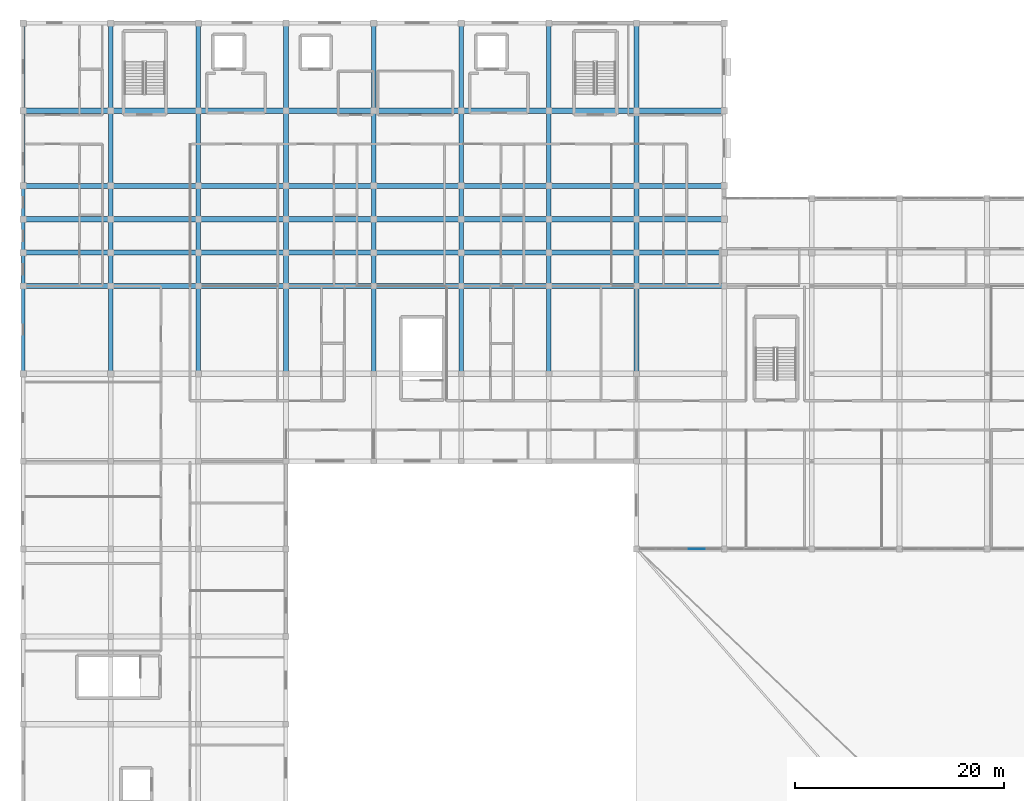
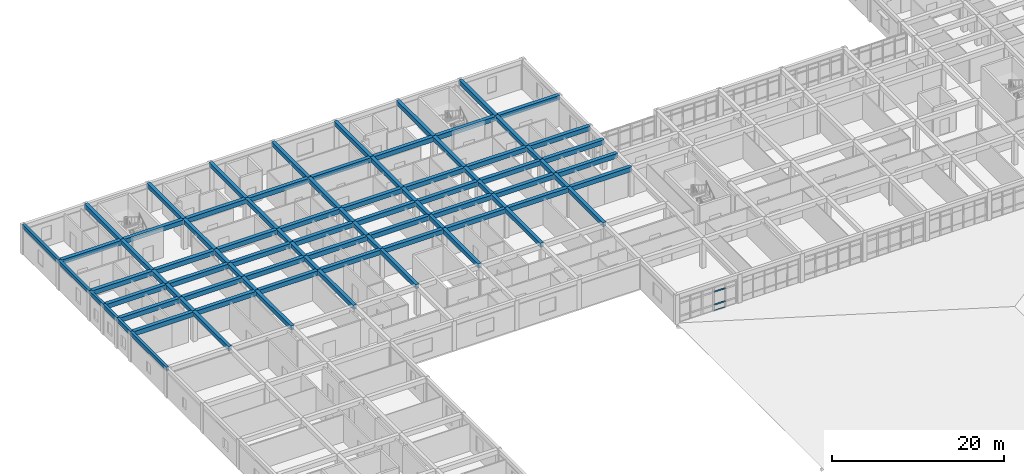
# One storey, part 14 of 77: 88 beams, 3 members, 1 element without a shape of its own.
"""IFC4 building model written with IfcOpenShell, lengths in metres."""

from ifc_helpers import new_model, si_unit, direction, frame, origin, origin_2d, place, context, subcontext, project, spatial, rectangle, extrude, material, material_profile, profile_set, type_object, element, aggregate, save


model = new_model("IFC4")

# Units and contexts
model_context = context("Model", 3, precision=1e-05, world=origin(), true_north=direction((0.0, 1.0)))
body_context = subcontext(model_context, "Body", "Model", "MODEL_VIEW")
ifc_project = project(units=[si_unit("LENGTHUNIT", "METRE"), si_unit("AREAUNIT", "SQUARE_METRE"), si_unit("VOLUMEUNIT", "CUBIC_METRE"), si_unit("PLANEANGLEUNIT", "RADIAN"), si_unit("MASSUNIT", "GRAM", prefix="KILO")], contexts=[model_context])

# Site, building, storey
site_placement = place(None, origin())
site = spatial("IfcSite", under=ifc_project, at=site_placement, CompositionType="ELEMENT")
building_placement = place(site_placement, origin())
building = spatial("IfcBuilding", under=site, at=building_placement, Name="Varncliffe General Hospital", CompositionType="ELEMENT")
storey_placement = place(building_placement, frame((0.0, 0.0, 16.199951171875)))
storey = spatial("IfcBuildingStorey", under=building, at=storey_placement, Name="L03", CompositionType="ELEMENT", Elevation=16.199951171875)

# Beams
ifc_material_1 = material(Name="Concrete C35/45 (CSA A23.1 35 MPa)", Category="concrete")
ifc_material_profile_1 = material_profile(ifc_material_1, rectangle(XDim=0.5, YDim=0.64990234375, at=origin_2d()), Name="RC 500x650")
ifc_profile_set_1 = profile_set([ifc_material_profile_1], Name="Concrete C35/45 (CSA A23.1 35 MPa)")
beam_type_1 = type_object("IfcBeamType", Name="Beam B29 (Int RC 500x650)", PredefinedType="BEAM", material=ifc_profile_set_1)
beam_1_placement = place(storey_placement, frame((0.0, 99.60009765625, 3.875), z_axis=(1.0, 0.0, 0.0), x_axis=(0.0, 1.0, 0.0)))
element("IfcBeam", 1, at=beam_1_placement, inside=storey, type_object=beam_type_1, Name="L03 Primary Beam B29-104", PredefinedType="BEAM", context=body_context, shape_type="SweptSolid", body=[
    extrude(rectangle(XDim=0.5, YDim=0.64990234375, at=origin_2d()), origin(), (0.0, 0.0, 1.0), 8.39990234375),
])
beam_2_placement = place(storey_placement, frame((8.39990234375, 99.60009765625, 3.875), z_axis=(1.0, 0.0, 0.0), x_axis=(0.0, 1.0, 0.0)))
element("IfcBeam", 2, at=beam_2_placement, inside=storey, type_object=beam_type_1, Name="L03 Primary Beam B29-105", PredefinedType="BEAM", context=body_context, shape_type="SweptSolid", body=[
    extrude(rectangle(XDim=0.5, YDim=0.64990234375, at=origin_2d()), origin(), (0.0, 0.0, 1.0), 8.400146484375),
])
beam_3_placement = place(storey_placement, frame((16.800048828125, 99.60009765625, 3.875), z_axis=(1.0, 0.0, 0.0), x_axis=(0.0, 1.0, 0.0)))
element("IfcBeam", 3, at=beam_3_placement, inside=storey, type_object=beam_type_1, Name="L03 Primary Beam B29-106", PredefinedType="BEAM", context=body_context, shape_type="SweptSolid", body=[
    extrude(rectangle(XDim=0.5, YDim=0.64990234375, at=origin_2d()), origin(), (0.0, 0.0, 1.0), 8.39990234375),
])
beam_4_placement = place(storey_placement, frame((25.199951171875, 99.60009765625, 3.875), z_axis=(1.0, 0.0, 0.0), x_axis=(0.0, 1.0, 0.0)))
element("IfcBeam", 4, at=beam_4_placement, inside=storey, type_object=beam_type_1, Name="L03 Primary Beam B29-107", PredefinedType="BEAM", context=body_context, shape_type="SweptSolid", body=[
    extrude(rectangle(XDim=0.5, YDim=0.64990234375, at=origin_2d()), origin(), (0.0, 0.0, 1.0), 8.400146484375),
])
for number, where, z_axis, x_axis, name in (
    (5, (33.60009765625, 99.60009765625, 3.875), (1.0, 0.0, 0.0), (0.0, 1.0, 0.0), "L03 Primary Beam B29-108"),
    (6, (42.0, 99.60009765625, 3.875), (1.0, 0.0, 0.0), (0.0, 1.0, 0.0), "L03 Primary Beam B29-109"),
):
    element("IfcBeam", number, at=place(storey_placement, frame(where, z_axis=z_axis, x_axis=x_axis)), inside=storey, type_object=beam_type_1, Name=name, PredefinedType="BEAM", context=body_context, shape_type="SweptSolid", body=[
        extrude(rectangle(XDim=0.5, YDim=0.64990234375, at=origin_2d()), origin(), (0.0, 0.0, 1.0), 8.39990234375),
    ])
beam_5_placement = place(storey_placement, frame((50.39990234375, 99.60009765625, 3.875), z_axis=(1.0, 0.0, 0.0), x_axis=(0.0, 1.0, 0.0)))
element("IfcBeam", 7, at=beam_5_placement, inside=storey, type_object=beam_type_1, Name="L03 Primary Beam B29-110", PredefinedType="BEAM", context=body_context, shape_type="SweptSolid", body=[
    extrude(rectangle(XDim=0.5, YDim=0.64990234375, at=origin_2d()), origin(), (0.0, 0.0, 1.0), 8.400146484375),
])
for number, where, z_axis, x_axis, name in (
    (8, (58.800048828125, 99.60009765625, 3.875), (1.0, 0.0, 0.0), (0.0, 1.0, 0.0), "L03 Primary Beam B29-111"),
    (9, (0.0, 102.800048828125, 3.875), (1.0, 0.0, 0.0), (0.0, 1.0, 0.0), "L03 Primary Beam B29-125"),
):
    element("IfcBeam", number, at=place(storey_placement, frame(where, z_axis=z_axis, x_axis=x_axis)), inside=storey, type_object=beam_type_1, Name=name, PredefinedType="BEAM", context=body_context, shape_type="SweptSolid", body=[
        extrude(rectangle(XDim=0.5, YDim=0.64990234375, at=origin_2d()), origin(), (0.0, 0.0, 1.0), 8.39990234375),
    ])
beam_6_placement = place(storey_placement, frame((8.39990234375, 102.800048828125, 3.875), z_axis=(1.0, 0.0, 0.0), x_axis=(0.0, 1.0, 0.0)))
element("IfcBeam", 10, at=beam_6_placement, inside=storey, type_object=beam_type_1, Name="L03 Primary Beam B29-126", PredefinedType="BEAM", context=body_context, shape_type="SweptSolid", body=[
    extrude(rectangle(XDim=0.5, YDim=0.64990234375, at=origin_2d()), origin(), (0.0, 0.0, 1.0), 8.400146484375),
])
beam_7_placement = place(storey_placement, frame((16.800048828125, 102.800048828125, 3.875), z_axis=(1.0, 0.0, 0.0), x_axis=(0.0, 1.0, 0.0)))
element("IfcBeam", 11, at=beam_7_placement, inside=storey, type_object=beam_type_1, Name="L03 Primary Beam B29-127", PredefinedType="BEAM", context=body_context, shape_type="SweptSolid", body=[
    extrude(rectangle(XDim=0.5, YDim=0.64990234375, at=origin_2d()), origin(), (0.0, 0.0, 1.0), 8.39990234375),
])
beam_8_placement = place(storey_placement, frame((25.199951171875, 102.800048828125, 3.875), z_axis=(1.0, 0.0, 0.0), x_axis=(0.0, 1.0, 0.0)))
element("IfcBeam", 12, at=beam_8_placement, inside=storey, type_object=beam_type_1, Name="L03 Primary Beam B29-128", PredefinedType="BEAM", context=body_context, shape_type="SweptSolid", body=[
    extrude(rectangle(XDim=0.5, YDim=0.64990234375, at=origin_2d()), origin(), (0.0, 0.0, 1.0), 8.400146484375),
])
for number, where, z_axis, x_axis, name in (
    (13, (33.60009765625, 102.800048828125, 3.875), (1.0, 0.0, 0.0), (0.0, 1.0, 0.0), "L03 Primary Beam B29-129"),
    (14, (42.0, 102.800048828125, 3.875), (1.0, 0.0, 0.0), (0.0, 1.0, 0.0), "L03 Primary Beam B29-130"),
):
    element("IfcBeam", number, at=place(storey_placement, frame(where, z_axis=z_axis, x_axis=x_axis)), inside=storey, type_object=beam_type_1, Name=name, PredefinedType="BEAM", context=body_context, shape_type="SweptSolid", body=[
        extrude(rectangle(XDim=0.5, YDim=0.64990234375, at=origin_2d()), origin(), (0.0, 0.0, 1.0), 8.39990234375),
    ])
beam_9_placement = place(storey_placement, frame((50.39990234375, 102.800048828125, 3.875), z_axis=(1.0, 0.0, 0.0), x_axis=(0.0, 1.0, 0.0)))
element("IfcBeam", 15, at=beam_9_placement, inside=storey, type_object=beam_type_1, Name="L03 Primary Beam B29-131", PredefinedType="BEAM", context=body_context, shape_type="SweptSolid", body=[
    extrude(rectangle(XDim=0.5, YDim=0.64990234375, at=origin_2d()), origin(), (0.0, 0.0, 1.0), 8.400146484375),
])
for number, where, z_axis, x_axis, name in (
    (16, (58.800048828125, 102.800048828125, 3.875), (1.0, 0.0, 0.0), (0.0, 1.0, 0.0), "L03 Primary Beam B29-132"),
    (17, (0.0, 106.0, 3.875), (1.0, 0.0, 0.0), (0.0, 1.0, 0.0), "L03 Primary Beam B29-146"),
):
    element("IfcBeam", number, at=place(storey_placement, frame(where, z_axis=z_axis, x_axis=x_axis)), inside=storey, type_object=beam_type_1, Name=name, PredefinedType="BEAM", context=body_context, shape_type="SweptSolid", body=[
        extrude(rectangle(XDim=0.5, YDim=0.64990234375, at=origin_2d()), origin(), (0.0, 0.0, 1.0), 8.39990234375),
    ])
beam_10_placement = place(storey_placement, frame((8.39990234375, 106.0, 3.875), z_axis=(1.0, 0.0, 0.0), x_axis=(0.0, 1.0, 0.0)))
element("IfcBeam", 18, at=beam_10_placement, inside=storey, type_object=beam_type_1, Name="L03 Primary Beam B29-147", PredefinedType="BEAM", context=body_context, shape_type="SweptSolid", body=[
    extrude(rectangle(XDim=0.5, YDim=0.64990234375, at=origin_2d()), origin(), (0.0, 0.0, 1.0), 8.400146484375),
])
beam_11_placement = place(storey_placement, frame((16.800048828125, 106.0, 3.875), z_axis=(1.0, 0.0, 0.0), x_axis=(0.0, 1.0, 0.0)))
element("IfcBeam", 19, at=beam_11_placement, inside=storey, type_object=beam_type_1, Name="L03 Primary Beam B29-148", PredefinedType="BEAM", context=body_context, shape_type="SweptSolid", body=[
    extrude(rectangle(XDim=0.5, YDim=0.64990234375, at=origin_2d()), origin(), (0.0, 0.0, 1.0), 8.39990234375),
])
beam_12_placement = place(storey_placement, frame((25.199951171875, 106.0, 3.875), z_axis=(1.0, 0.0, 0.0), x_axis=(0.0, 1.0, 0.0)))
element("IfcBeam", 20, at=beam_12_placement, inside=storey, type_object=beam_type_1, Name="L03 Primary Beam B29-149", PredefinedType="BEAM", context=body_context, shape_type="SweptSolid", body=[
    extrude(rectangle(XDim=0.5, YDim=0.64990234375, at=origin_2d()), origin(), (0.0, 0.0, 1.0), 8.400146484375),
])
for number, where, z_axis, x_axis, name in (
    (21, (33.60009765625, 106.0, 3.875), (1.0, 0.0, 0.0), (0.0, 1.0, 0.0), "L03 Primary Beam B29-150"),
    (22, (42.0, 106.0, 3.875), (1.0, 0.0, 0.0), (0.0, 1.0, 0.0), "L03 Primary Beam B29-151"),
):
    element("IfcBeam", number, at=place(storey_placement, frame(where, z_axis=z_axis, x_axis=x_axis)), inside=storey, type_object=beam_type_1, Name=name, PredefinedType="BEAM", context=body_context, shape_type="SweptSolid", body=[
        extrude(rectangle(XDim=0.5, YDim=0.64990234375, at=origin_2d()), origin(), (0.0, 0.0, 1.0), 8.39990234375),
    ])
beam_13_placement = place(storey_placement, frame((50.39990234375, 106.0, 3.875), z_axis=(1.0, 0.0, 0.0), x_axis=(0.0, 1.0, 0.0)))
element("IfcBeam", 23, at=beam_13_placement, inside=storey, type_object=beam_type_1, Name="L03 Primary Beam B29-152", PredefinedType="BEAM", context=body_context, shape_type="SweptSolid", body=[
    extrude(rectangle(XDim=0.5, YDim=0.64990234375, at=origin_2d()), origin(), (0.0, 0.0, 1.0), 8.400146484375),
])
for number, where, z_axis, x_axis, name in (
    (24, (58.800048828125, 106.0, 3.875), (1.0, 0.0, 0.0), (0.0, 1.0, 0.0), "L03 Primary Beam B29-153"),
    (25, (0.0, 109.199951171875, 3.875), (1.0, 0.0, 0.0), (0.0, 1.0, 0.0), "L03 Primary Beam B29-165"),
):
    element("IfcBeam", number, at=place(storey_placement, frame(where, z_axis=z_axis, x_axis=x_axis)), inside=storey, type_object=beam_type_1, Name=name, PredefinedType="BEAM", context=body_context, shape_type="SweptSolid", body=[
        extrude(rectangle(XDim=0.5, YDim=0.64990234375, at=origin_2d()), origin(), (0.0, 0.0, 1.0), 8.39990234375),
    ])
beam_14_placement = place(storey_placement, frame((8.39990234375, 109.199951171875, 3.875), z_axis=(1.0, 0.0, 0.0), x_axis=(0.0, 1.0, 0.0)))
element("IfcBeam", 26, at=beam_14_placement, inside=storey, type_object=beam_type_1, Name="L03 Primary Beam B29-166", PredefinedType="BEAM", context=body_context, shape_type="SweptSolid", body=[
    extrude(rectangle(XDim=0.5, YDim=0.64990234375, at=origin_2d()), origin(), (0.0, 0.0, 1.0), 8.400146484375),
])
beam_15_placement = place(storey_placement, frame((16.800048828125, 109.199951171875, 3.875), z_axis=(1.0, 0.0, 0.0), x_axis=(0.0, 1.0, 0.0)))
element("IfcBeam", 27, at=beam_15_placement, inside=storey, type_object=beam_type_1, Name="L03 Primary Beam B29-167", PredefinedType="BEAM", context=body_context, shape_type="SweptSolid", body=[
    extrude(rectangle(XDim=0.5, YDim=0.64990234375, at=origin_2d()), origin(), (0.0, 0.0, 1.0), 8.39990234375),
])
beam_16_placement = place(storey_placement, frame((25.199951171875, 109.199951171875, 3.875), z_axis=(1.0, 0.0, 0.0), x_axis=(0.0, 1.0, 0.0)))
element("IfcBeam", 28, at=beam_16_placement, inside=storey, type_object=beam_type_1, Name="L03 Primary Beam B29-168", PredefinedType="BEAM", context=body_context, shape_type="SweptSolid", body=[
    extrude(rectangle(XDim=0.5, YDim=0.64990234375, at=origin_2d()), origin(), (0.0, 0.0, 1.0), 8.400146484375),
])
for number, where, z_axis, x_axis, name in (
    (29, (33.60009765625, 109.199951171875, 3.875), (1.0, 0.0, 0.0), (0.0, 1.0, 0.0), "L03 Primary Beam B29-169"),
    (30, (42.0, 109.199951171875, 3.875), (1.0, 0.0, 0.0), (0.0, 1.0, 0.0), "L03 Primary Beam B29-170"),
):
    element("IfcBeam", number, at=place(storey_placement, frame(where, z_axis=z_axis, x_axis=x_axis)), inside=storey, type_object=beam_type_1, Name=name, PredefinedType="BEAM", context=body_context, shape_type="SweptSolid", body=[
        extrude(rectangle(XDim=0.5, YDim=0.64990234375, at=origin_2d()), origin(), (0.0, 0.0, 1.0), 8.39990234375),
    ])
beam_17_placement = place(storey_placement, frame((50.39990234375, 109.199951171875, 3.875), z_axis=(1.0, 0.0, 0.0), x_axis=(0.0, 1.0, 0.0)))
element("IfcBeam", 31, at=beam_17_placement, inside=storey, type_object=beam_type_1, Name="L03 Primary Beam B29-171", PredefinedType="BEAM", context=body_context, shape_type="SweptSolid", body=[
    extrude(rectangle(XDim=0.5, YDim=0.64990234375, at=origin_2d()), origin(), (0.0, 0.0, 1.0), 8.400146484375),
])
for number, where, z_axis, x_axis, name in (
    (32, (58.800048828125, 109.199951171875, 3.875), (1.0, 0.0, 0.0), (0.0, 1.0, 0.0), "L03 Primary Beam B29-172"),
    (33, (0.0, 116.39990234375, 3.875), (1.0, 0.0, 0.0), (0.0, 1.0, 0.0), "L03 Primary Beam B29-181"),
):
    element("IfcBeam", number, at=place(storey_placement, frame(where, z_axis=z_axis, x_axis=x_axis)), inside=storey, type_object=beam_type_1, Name=name, PredefinedType="BEAM", context=body_context, shape_type="SweptSolid", body=[
        extrude(rectangle(XDim=0.5, YDim=0.64990234375, at=origin_2d()), origin(), (0.0, 0.0, 1.0), 8.39990234375),
    ])
beam_18_placement = place(storey_placement, frame((8.39990234375, 116.39990234375, 3.875), z_axis=(1.0, 0.0, 0.0), x_axis=(0.0, 1.0, 0.0)))
element("IfcBeam", 34, at=beam_18_placement, inside=storey, type_object=beam_type_1, Name="L03 Primary Beam B29-182", PredefinedType="BEAM", context=body_context, shape_type="SweptSolid", body=[
    extrude(rectangle(XDim=0.5, YDim=0.64990234375, at=origin_2d()), origin(), (0.0, 0.0, 1.0), 8.400146484375),
])
beam_19_placement = place(storey_placement, frame((16.800048828125, 116.39990234375, 3.875), z_axis=(1.0, 0.0, 0.0), x_axis=(0.0, 1.0, 0.0)))
element("IfcBeam", 35, at=beam_19_placement, inside=storey, type_object=beam_type_1, Name="L03 Primary Beam B29-183", PredefinedType="BEAM", context=body_context, shape_type="SweptSolid", body=[
    extrude(rectangle(XDim=0.5, YDim=0.64990234375, at=origin_2d()), origin(), (0.0, 0.0, 1.0), 8.39990234375),
])
beam_20_placement = place(storey_placement, frame((25.199951171875, 116.39990234375, 3.875), z_axis=(1.0, 0.0, 0.0), x_axis=(0.0, 1.0, 0.0)))
element("IfcBeam", 36, at=beam_20_placement, inside=storey, type_object=beam_type_1, Name="L03 Primary Beam B29-184", PredefinedType="BEAM", context=body_context, shape_type="SweptSolid", body=[
    extrude(rectangle(XDim=0.5, YDim=0.64990234375, at=origin_2d()), origin(), (0.0, 0.0, 1.0), 8.400146484375),
])
for number, where, z_axis, x_axis, name in (
    (37, (33.60009765625, 116.39990234375, 3.875), (1.0, 0.0, 0.0), (0.0, 1.0, 0.0), "L03 Primary Beam B29-185"),
    (38, (42.0, 116.39990234375, 3.875), (1.0, 0.0, 0.0), (0.0, 1.0, 0.0), "L03 Primary Beam B29-186"),
):
    element("IfcBeam", number, at=place(storey_placement, frame(where, z_axis=z_axis, x_axis=x_axis)), inside=storey, type_object=beam_type_1, Name=name, PredefinedType="BEAM", context=body_context, shape_type="SweptSolid", body=[
        extrude(rectangle(XDim=0.5, YDim=0.64990234375, at=origin_2d()), origin(), (0.0, 0.0, 1.0), 8.39990234375),
    ])
beam_21_placement = place(storey_placement, frame((50.39990234375, 116.39990234375, 3.875), z_axis=(1.0, 0.0, 0.0), x_axis=(0.0, 1.0, 0.0)))
element("IfcBeam", 39, at=beam_21_placement, inside=storey, type_object=beam_type_1, Name="L03 Primary Beam B29-187", PredefinedType="BEAM", context=body_context, shape_type="SweptSolid", body=[
    extrude(rectangle(XDim=0.5, YDim=0.64990234375, at=origin_2d()), origin(), (0.0, 0.0, 1.0), 8.400146484375),
])
beam_22_placement = place(storey_placement, frame((58.800048828125, 116.39990234375, 3.875), z_axis=(1.0, 0.0, 0.0), x_axis=(0.0, 1.0, 0.0)))
element("IfcBeam", 40, at=beam_22_placement, inside=storey, type_object=beam_type_1, Name="L03 Primary Beam B29-188", PredefinedType="BEAM", context=body_context, shape_type="SweptSolid", body=[
    extrude(rectangle(XDim=0.5, YDim=0.64990234375, at=origin_2d()), origin(), (0.0, 0.0, 1.0), 8.39990234375),
])
ifc_material_profile_2 = material_profile(ifc_material_1, rectangle(XDim=0.449951171875, YDim=0.60009765625, at=origin_2d()), Name="RC 450x600")
ifc_profile_set_2 = profile_set([ifc_material_profile_2], Name="Concrete C35/45 (CSA A23.1 35 MPa)")
beam_type_2 = type_object("IfcBeamType", Name="Beam B47 (Int RC 450x600)", PredefinedType="BEAM", material=ifc_profile_set_2)
beam_23_placement = place(storey_placement, frame((8.39990234375, 91.199951171875, 3.900146484375), z_axis=(0.0, 1.0, 0.0), x_axis=(-1.0, 0.0, 0.0)))
element("IfcBeam", 41, at=beam_23_placement, inside=storey, type_object=beam_type_2, Name="L03 Primary Beam B47-231", PredefinedType="BEAM", context=body_context, shape_type="SweptSolid", body=[
    extrude(rectangle(XDim=0.449951171875, YDim=0.60009765625, at=origin_2d()), origin(), (0.0, 0.0, 1.0), 8.400146484375),
])
for number, where, z_axis, x_axis, name in (
    (42, (8.39990234375, 99.60009765625, 3.900146484375), (0.0, 1.0, 0.0), (-1.0, 0.0, 0.0), "L03 Primary Beam B47-232"),
    (43, (8.39990234375, 102.800048828125, 3.900146484375), (0.0, 1.0, 0.0), (-1.0, 0.0, 0.0), "L03 Primary Beam B47-233"),
    (44, (8.39990234375, 106.0, 3.900146484375), (0.0, 1.0, 0.0), (-1.0, 0.0, 0.0), "L03 Primary Beam B47-234"),
):
    element("IfcBeam", number, at=place(storey_placement, frame(where, z_axis=z_axis, x_axis=x_axis)), inside=storey, type_object=beam_type_2, Name=name, PredefinedType="BEAM", context=body_context, shape_type="SweptSolid", body=[
        extrude(rectangle(XDim=0.449951171875, YDim=0.60009765625, at=origin_2d()), origin(), (0.0, 0.0, 1.0), 3.199951171875),
    ])
beam_24_placement = place(storey_placement, frame((8.39990234375, 109.199951171875, 3.900146484375), z_axis=(0.0, 1.0, 0.0), x_axis=(-1.0, 0.0, 0.0)))
element("IfcBeam", 45, at=beam_24_placement, inside=storey, type_object=beam_type_2, Name="L03 Primary Beam B47-235", PredefinedType="BEAM", context=body_context, shape_type="SweptSolid", body=[
    extrude(rectangle(XDim=0.449951171875, YDim=0.60009765625, at=origin_2d()), origin(), (0.0, 0.0, 1.0), 7.199951171875),
])
for number, where, z_axis, x_axis, name in (
    (46, (8.39990234375, 116.39990234375, 3.900146484375), (0.0, 1.0, 0.0), (-1.0, 0.0, 0.0), "L03 Primary Beam B47-236"),
    (47, (16.800048828125, 91.199951171875, 3.900146484375), (0.0, 1.0, 0.0), (-1.0, 0.0, 0.0), "L03 Primary Beam B47-243"),
):
    element("IfcBeam", number, at=place(storey_placement, frame(where, z_axis=z_axis, x_axis=x_axis)), inside=storey, type_object=beam_type_2, Name=name, PredefinedType="BEAM", context=body_context, shape_type="SweptSolid", body=[
        extrude(rectangle(XDim=0.449951171875, YDim=0.60009765625, at=origin_2d()), origin(), (0.0, 0.0, 1.0), 8.400146484375),
    ])
for number, where, z_axis, x_axis, name in (
    (48, (16.800048828125, 99.60009765625, 3.900146484375), (0.0, 1.0, 0.0), (-1.0, 0.0, 0.0), "L03 Primary Beam B47-244"),
    (49, (16.800048828125, 102.800048828125, 3.900146484375), (0.0, 1.0, 0.0), (-1.0, 0.0, 0.0), "L03 Primary Beam B47-245"),
    (50, (16.800048828125, 106.0, 3.900146484375), (0.0, 1.0, 0.0), (-1.0, 0.0, 0.0), "L03 Primary Beam B47-246"),
):
    element("IfcBeam", number, at=place(storey_placement, frame(where, z_axis=z_axis, x_axis=x_axis)), inside=storey, type_object=beam_type_2, Name=name, PredefinedType="BEAM", context=body_context, shape_type="SweptSolid", body=[
        extrude(rectangle(XDim=0.449951171875, YDim=0.60009765625, at=origin_2d()), origin(), (0.0, 0.0, 1.0), 3.199951171875),
    ])
beam_25_placement = place(storey_placement, frame((16.800048828125, 109.199951171875, 3.900146484375), z_axis=(0.0, 1.0, 0.0), x_axis=(-1.0, 0.0, 0.0)))
element("IfcBeam", 51, at=beam_25_placement, inside=storey, type_object=beam_type_2, Name="L03 Primary Beam B47-247", PredefinedType="BEAM", context=body_context, shape_type="SweptSolid", body=[
    extrude(rectangle(XDim=0.449951171875, YDim=0.60009765625, at=origin_2d()), origin(), (0.0, 0.0, 1.0), 7.199951171875),
])
for number, where, z_axis, x_axis, name in (
    (52, (16.800048828125, 116.39990234375, 3.900146484375), (0.0, 1.0, 0.0), (-1.0, 0.0, 0.0), "L03 Primary Beam B47-248"),
    (53, (25.199951171875, 91.199951171875, 3.900146484375), (0.0, 1.0, 0.0), (-1.0, 0.0, 0.0), "L03 Primary Beam B47-255"),
):
    element("IfcBeam", number, at=place(storey_placement, frame(where, z_axis=z_axis, x_axis=x_axis)), inside=storey, type_object=beam_type_2, Name=name, PredefinedType="BEAM", context=body_context, shape_type="SweptSolid", body=[
        extrude(rectangle(XDim=0.449951171875, YDim=0.60009765625, at=origin_2d()), origin(), (0.0, 0.0, 1.0), 8.400146484375),
    ])
for number, where, z_axis, x_axis, name in (
    (54, (25.199951171875, 99.60009765625, 3.900146484375), (0.0, 1.0, 0.0), (-1.0, 0.0, 0.0), "L03 Primary Beam B47-256"),
    (55, (25.199951171875, 102.800048828125, 3.900146484375), (0.0, 1.0, 0.0), (-1.0, 0.0, 0.0), "L03 Primary Beam B47-257"),
    (56, (25.199951171875, 106.0, 3.900146484375), (0.0, 1.0, 0.0), (-1.0, 0.0, 0.0), "L03 Primary Beam B47-258"),
):
    element("IfcBeam", number, at=place(storey_placement, frame(where, z_axis=z_axis, x_axis=x_axis)), inside=storey, type_object=beam_type_2, Name=name, PredefinedType="BEAM", context=body_context, shape_type="SweptSolid", body=[
        extrude(rectangle(XDim=0.449951171875, YDim=0.60009765625, at=origin_2d()), origin(), (0.0, 0.0, 1.0), 3.199951171875),
    ])
beam_26_placement = place(storey_placement, frame((25.199951171875, 109.199951171875, 3.900146484375), z_axis=(0.0, 1.0, 0.0), x_axis=(-1.0, 0.0, 0.0)))
element("IfcBeam", 57, at=beam_26_placement, inside=storey, type_object=beam_type_2, Name="L03 Primary Beam B47-259", PredefinedType="BEAM", context=body_context, shape_type="SweptSolid", body=[
    extrude(rectangle(XDim=0.449951171875, YDim=0.60009765625, at=origin_2d()), origin(), (0.0, 0.0, 1.0), 7.199951171875),
])
for number, where, z_axis, x_axis, name in (
    (58, (25.199951171875, 116.39990234375, 3.900146484375), (0.0, 1.0, 0.0), (-1.0, 0.0, 0.0), "L03 Primary Beam B47-260"),
    (59, (33.60009765625, 91.199951171875, 3.900146484375), (0.0, 1.0, 0.0), (-1.0, 0.0, 0.0), "L03 Primary Beam B47-262"),
):
    element("IfcBeam", number, at=place(storey_placement, frame(where, z_axis=z_axis, x_axis=x_axis)), inside=storey, type_object=beam_type_2, Name=name, PredefinedType="BEAM", context=body_context, shape_type="SweptSolid", body=[
        extrude(rectangle(XDim=0.449951171875, YDim=0.60009765625, at=origin_2d()), origin(), (0.0, 0.0, 1.0), 8.400146484375),
    ])
for number, where, z_axis, x_axis, name in (
    (60, (33.60009765625, 99.60009765625, 3.900146484375), (0.0, 1.0, 0.0), (-1.0, 0.0, 0.0), "L03 Primary Beam B47-263"),
    (61, (33.60009765625, 102.800048828125, 3.900146484375), (0.0, 1.0, 0.0), (-1.0, 0.0, 0.0), "L03 Primary Beam B47-264"),
    (62, (33.60009765625, 106.0, 3.900146484375), (0.0, 1.0, 0.0), (-1.0, 0.0, 0.0), "L03 Primary Beam B47-265"),
):
    element("IfcBeam", number, at=place(storey_placement, frame(where, z_axis=z_axis, x_axis=x_axis)), inside=storey, type_object=beam_type_2, Name=name, PredefinedType="BEAM", context=body_context, shape_type="SweptSolid", body=[
        extrude(rectangle(XDim=0.449951171875, YDim=0.60009765625, at=origin_2d()), origin(), (0.0, 0.0, 1.0), 3.199951171875),
    ])
beam_27_placement = place(storey_placement, frame((33.60009765625, 109.199951171875, 3.900146484375), z_axis=(0.0, 1.0, 0.0), x_axis=(-1.0, 0.0, 0.0)))
element("IfcBeam", 63, at=beam_27_placement, inside=storey, type_object=beam_type_2, Name="L03 Primary Beam B47-266", PredefinedType="BEAM", context=body_context, shape_type="SweptSolid", body=[
    extrude(rectangle(XDim=0.449951171875, YDim=0.60009765625, at=origin_2d()), origin(), (0.0, 0.0, 1.0), 7.199951171875),
])
for number, where, z_axis, x_axis, name in (
    (64, (33.60009765625, 116.39990234375, 3.900146484375), (0.0, 1.0, 0.0), (-1.0, 0.0, 0.0), "L03 Primary Beam B47-267"),
    (65, (42.0, 91.199951171875, 3.900146484375), (0.0, 1.0, 0.0), (-1.0, 0.0, 0.0), "L03 Primary Beam B47-269"),
):
    element("IfcBeam", number, at=place(storey_placement, frame(where, z_axis=z_axis, x_axis=x_axis)), inside=storey, type_object=beam_type_2, Name=name, PredefinedType="BEAM", context=body_context, shape_type="SweptSolid", body=[
        extrude(rectangle(XDim=0.449951171875, YDim=0.60009765625, at=origin_2d()), origin(), (0.0, 0.0, 1.0), 8.400146484375),
    ])
for number, where, z_axis, x_axis, name in (
    (66, (42.0, 99.60009765625, 3.900146484375), (0.0, 1.0, 0.0), (-1.0, 0.0, 0.0), "L03 Primary Beam B47-270"),
    (67, (42.0, 102.800048828125, 3.900146484375), (0.0, 1.0, 0.0), (-1.0, 0.0, 0.0), "L03 Primary Beam B47-271"),
    (68, (42.0, 106.0, 3.900146484375), (0.0, 1.0, 0.0), (-1.0, 0.0, 0.0), "L03 Primary Beam B47-272"),
):
    element("IfcBeam", number, at=place(storey_placement, frame(where, z_axis=z_axis, x_axis=x_axis)), inside=storey, type_object=beam_type_2, Name=name, PredefinedType="BEAM", context=body_context, shape_type="SweptSolid", body=[
        extrude(rectangle(XDim=0.449951171875, YDim=0.60009765625, at=origin_2d()), origin(), (0.0, 0.0, 1.0), 3.199951171875),
    ])
beam_28_placement = place(storey_placement, frame((42.0, 109.199951171875, 3.900146484375), z_axis=(0.0, 1.0, 0.0), x_axis=(-1.0, 0.0, 0.0)))
element("IfcBeam", 69, at=beam_28_placement, inside=storey, type_object=beam_type_2, Name="L03 Primary Beam B47-273", PredefinedType="BEAM", context=body_context, shape_type="SweptSolid", body=[
    extrude(rectangle(XDim=0.449951171875, YDim=0.60009765625, at=origin_2d()), origin(), (0.0, 0.0, 1.0), 7.199951171875),
])
for number, where, z_axis, x_axis, name in (
    (70, (42.0, 116.39990234375, 3.900146484375), (0.0, 1.0, 0.0), (-1.0, 0.0, 0.0), "L03 Primary Beam B47-274"),
    (71, (50.39990234375, 91.199951171875, 3.900146484375), (0.0, 1.0, 0.0), (-1.0, 0.0, 0.0), "L03 Primary Beam B47-276"),
):
    element("IfcBeam", number, at=place(storey_placement, frame(where, z_axis=z_axis, x_axis=x_axis)), inside=storey, type_object=beam_type_2, Name=name, PredefinedType="BEAM", context=body_context, shape_type="SweptSolid", body=[
        extrude(rectangle(XDim=0.449951171875, YDim=0.60009765625, at=origin_2d()), origin(), (0.0, 0.0, 1.0), 8.400146484375),
    ])
for number, where, z_axis, x_axis, name in (
    (72, (50.39990234375, 99.60009765625, 3.900146484375), (0.0, 1.0, 0.0), (-1.0, 0.0, 0.0), "L03 Primary Beam B47-277"),
    (73, (50.39990234375, 102.800048828125, 3.900146484375), (0.0, 1.0, 0.0), (-1.0, 0.0, 0.0), "L03 Primary Beam B47-278"),
    (74, (50.39990234375, 106.0, 3.900146484375), (0.0, 1.0, 0.0), (-1.0, 0.0, 0.0), "L03 Primary Beam B47-279"),
):
    element("IfcBeam", number, at=place(storey_placement, frame(where, z_axis=z_axis, x_axis=x_axis)), inside=storey, type_object=beam_type_2, Name=name, PredefinedType="BEAM", context=body_context, shape_type="SweptSolid", body=[
        extrude(rectangle(XDim=0.449951171875, YDim=0.60009765625, at=origin_2d()), origin(), (0.0, 0.0, 1.0), 3.199951171875),
    ])
beam_29_placement = place(storey_placement, frame((50.39990234375, 109.199951171875, 3.900146484375), z_axis=(0.0, 1.0, 0.0), x_axis=(-1.0, 0.0, 0.0)))
element("IfcBeam", 75, at=beam_29_placement, inside=storey, type_object=beam_type_2, Name="L03 Primary Beam B47-280", PredefinedType="BEAM", context=body_context, shape_type="SweptSolid", body=[
    extrude(rectangle(XDim=0.449951171875, YDim=0.60009765625, at=origin_2d()), origin(), (0.0, 0.0, 1.0), 7.199951171875),
])
for number, where, z_axis, x_axis, name in (
    (76, (50.39990234375, 116.39990234375, 3.900146484375), (0.0, 1.0, 0.0), (-1.0, 0.0, 0.0), "L03 Primary Beam B47-281"),
    (77, (58.800048828125, 91.199951171875, 3.900146484375), (0.0, 1.0, 0.0), (-1.0, 0.0, 0.0), "L03 Primary Beam B47-284"),
):
    element("IfcBeam", number, at=place(storey_placement, frame(where, z_axis=z_axis, x_axis=x_axis)), inside=storey, type_object=beam_type_2, Name=name, PredefinedType="BEAM", context=body_context, shape_type="SweptSolid", body=[
        extrude(rectangle(XDim=0.449951171875, YDim=0.60009765625, at=origin_2d()), origin(), (0.0, 0.0, 1.0), 8.400146484375),
    ])
for number, where, z_axis, x_axis, name in (
    (78, (58.800048828125, 99.60009765625, 3.900146484375), (0.0, 1.0, 0.0), (-1.0, 0.0, 0.0), "L03 Primary Beam B47-285"),
    (79, (58.800048828125, 102.800048828125, 3.900146484375), (0.0, 1.0, 0.0), (-1.0, 0.0, 0.0), "L03 Primary Beam B47-286"),
    (80, (58.800048828125, 106.0, 3.900146484375), (0.0, 1.0, 0.0), (-1.0, 0.0, 0.0), "L03 Primary Beam B47-287"),
):
    element("IfcBeam", number, at=place(storey_placement, frame(where, z_axis=z_axis, x_axis=x_axis)), inside=storey, type_object=beam_type_2, Name=name, PredefinedType="BEAM", context=body_context, shape_type="SweptSolid", body=[
        extrude(rectangle(XDim=0.449951171875, YDim=0.60009765625, at=origin_2d()), origin(), (0.0, 0.0, 1.0), 3.199951171875),
    ])
beam_30_placement = place(storey_placement, frame((58.800048828125, 109.199951171875, 3.900146484375), z_axis=(0.0, 1.0, 0.0), x_axis=(-1.0, 0.0, 0.0)))
element("IfcBeam", 81, at=beam_30_placement, inside=storey, type_object=beam_type_2, Name="L03 Primary Beam B47-288", PredefinedType="BEAM", context=body_context, shape_type="SweptSolid", body=[
    extrude(rectangle(XDim=0.449951171875, YDim=0.60009765625, at=origin_2d()), origin(), (0.0, 0.0, 1.0), 7.199951171875),
])
beam_31_placement = place(storey_placement, frame((58.800048828125, 116.39990234375, 3.900146484375), z_axis=(0.0, 1.0, 0.0), x_axis=(-1.0, 0.0, 0.0)))
element("IfcBeam", 82, at=beam_31_placement, inside=storey, type_object=beam_type_2, Name="L03 Primary Beam B47-289", PredefinedType="BEAM", context=body_context, shape_type="SweptSolid", body=[
    extrude(rectangle(XDim=0.449951171875, YDim=0.60009765625, at=origin_2d()), origin(), (0.0, 0.0, 1.0), 8.400146484375),
])

# Curtain wall, members
ifc_material_2 = material(Name="Triple low-E argon insulated vision glazing", Category="glass")
curtain_wall_type = type_object("IfcCurtainWallType", Name="Unitised Glazed Curtain Wall CW83 (7854x3440)", PredefinedType="USERDEFINED", material=ifc_material_2)
curtain_wall_placement = place(storey_placement, origin())
curtain_wall = element("IfcCurtainWall", 83, at=curtain_wall_placement, inside=storey, type_object=curtain_wall_type, Name="L03 Glazed Curtain Wall CW83-180", ObjectType="GLAZED CURTAIN WALL", PredefinedType="USERDEFINED")
ifc_material_3 = material(Name="Dark bronze thermally broken aluminium framing", Category="aluminium")
ifc_material_profile_3 = material_profile(ifc_material_3, rectangle(XDim=0.06494140625, YDim=0.139892578125, at=origin_2d()), Name="ALU 65x140")
ifc_profile_set_3 = profile_set([ifc_material_profile_3], Name="Dark bronze thermally broken aluminium framing")
member_type = type_object("IfcMemberType", Name="Curtain Wall Transom CT69 (ALU 65x140)", PredefinedType="USERDEFINED", material=ifc_profile_set_3)
member_1_placement = place(storey_placement, frame((65.318603515625, 74.39990234375, 0.032470703125), z_axis=(-1.0, 0.0, 0.0), x_axis=(0.0, -1.0, 0.0)))
member_1 = element("IfcMember", 84, at=member_1_placement, type_object=member_type, Name="CW83 transom 2.1", ObjectType="TRANSOM", PredefinedType="USERDEFINED", context=body_context, shape_type="SweptSolid", body=[
    extrude(rectangle(XDim=0.06494140625, YDim=0.139892578125, at=origin_2d()), origin(), (0.0, 0.0, 1.0), 1.49560546875),
])
member_2_placement = place(storey_placement, frame((65.318603515625, 74.39990234375, 0.900146484375), z_axis=(-1.0, 0.0, 0.0), x_axis=(0.0, -1.0, 0.0)))
member_2 = element("IfcMember", 85, at=member_2_placement, type_object=member_type, Name="CW83 transom 2.2", ObjectType="TRANSOM", PredefinedType="USERDEFINED", context=body_context, shape_type="SweptSolid", body=[
    extrude(rectangle(XDim=0.06494140625, YDim=0.139892578125, at=origin_2d()), origin(), (0.0, 0.0, 1.0), 1.49560546875),
])
member_3_placement = place(storey_placement, frame((65.318603515625, 74.39990234375, 2.739990234375), z_axis=(-1.0, 0.0, 0.0), x_axis=(0.0, -1.0, 0.0)))
member_3 = element("IfcMember", 86, at=member_3_placement, type_object=member_type, Name="CW83 transom 2.3", ObjectType="TRANSOM", PredefinedType="USERDEFINED", context=body_context, shape_type="SweptSolid", body=[
    extrude(rectangle(XDim=0.06494140625, YDim=0.139892578125, at=origin_2d()), origin(), (0.0, 0.0, 1.0), 1.49560546875),
])
aggregate(curtain_wall, [member_1, member_2, member_3])

# Beams
ifc_material_profile_4 = material_profile(ifc_material_1, rectangle(XDim=0.35009765625, YDim=0.550048828125, at=origin_2d()), Name="RC 350x550")
ifc_profile_set_4 = profile_set([ifc_material_profile_4], Name="Concrete C35/45 (CSA A23.1 35 MPa)")
beam_type_3 = type_object("IfcBeamType", Name="Spandrel SP20 (Ext RC 350x550)", PredefinedType="SPANDREL", material=ifc_profile_set_4)
beam_32_placement = place(storey_placement, frame((0.0, 91.199951171875, 3.925048828125), z_axis=(0.0, 1.0, 0.0), x_axis=(-1.0, 0.0, 0.0)))
element("IfcBeam", 87, at=beam_32_placement, inside=storey, type_object=beam_type_3, Name="L03 Spandrel Beam SP20-219", PredefinedType="SPANDREL", context=body_context, shape_type="SweptSolid", body=[
    extrude(rectangle(XDim=0.35009765625, YDim=0.550048828125, at=origin_2d()), origin(), (0.0, 0.0, 1.0), 8.400146484375),
])
for number, where, z_axis, x_axis, name in (
    (88, (0.0, 99.60009765625, 3.925048828125), (0.0, 1.0, 0.0), (-1.0, 0.0, 0.0), "L03 Spandrel Beam SP20-220"),
    (89, (0.0, 102.800048828125, 3.925048828125), (0.0, 1.0, 0.0), (-1.0, 0.0, 0.0), "L03 Spandrel Beam SP20-221"),
    (90, (0.0, 106.0, 3.925048828125), (0.0, 1.0, 0.0), (-1.0, 0.0, 0.0), "L03 Spandrel Beam SP20-222"),
):
    element("IfcBeam", number, at=place(storey_placement, frame(where, z_axis=z_axis, x_axis=x_axis)), inside=storey, type_object=beam_type_3, Name=name, PredefinedType="SPANDREL", context=body_context, shape_type="SweptSolid", body=[
        extrude(rectangle(XDim=0.35009765625, YDim=0.550048828125, at=origin_2d()), origin(), (0.0, 0.0, 1.0), 3.199951171875),
    ])
beam_33_placement = place(storey_placement, frame((0.0, 109.199951171875, 3.925048828125), z_axis=(0.0, 1.0, 0.0), x_axis=(-1.0, 0.0, 0.0)))
element("IfcBeam", 91, at=beam_33_placement, inside=storey, type_object=beam_type_3, Name="L03 Spandrel Beam SP20-223", PredefinedType="SPANDREL", context=body_context, shape_type="SweptSolid", body=[
    extrude(rectangle(XDim=0.35009765625, YDim=0.550048828125, at=origin_2d()), origin(), (0.0, 0.0, 1.0), 7.199951171875),
])
beam_34_placement = place(storey_placement, frame((0.0, 116.39990234375, 3.925048828125), z_axis=(0.0, 1.0, 0.0), x_axis=(-1.0, 0.0, 0.0)))
element("IfcBeam", 92, at=beam_34_placement, inside=storey, type_object=beam_type_3, Name="L03 Spandrel Beam SP20-224", PredefinedType="SPANDREL", context=body_context, shape_type="SweptSolid", body=[
    extrude(rectangle(XDim=0.35009765625, YDim=0.550048828125, at=origin_2d()), origin(), (0.0, 0.0, 1.0), 8.400146484375),
])

save(model, "model.ifc")
